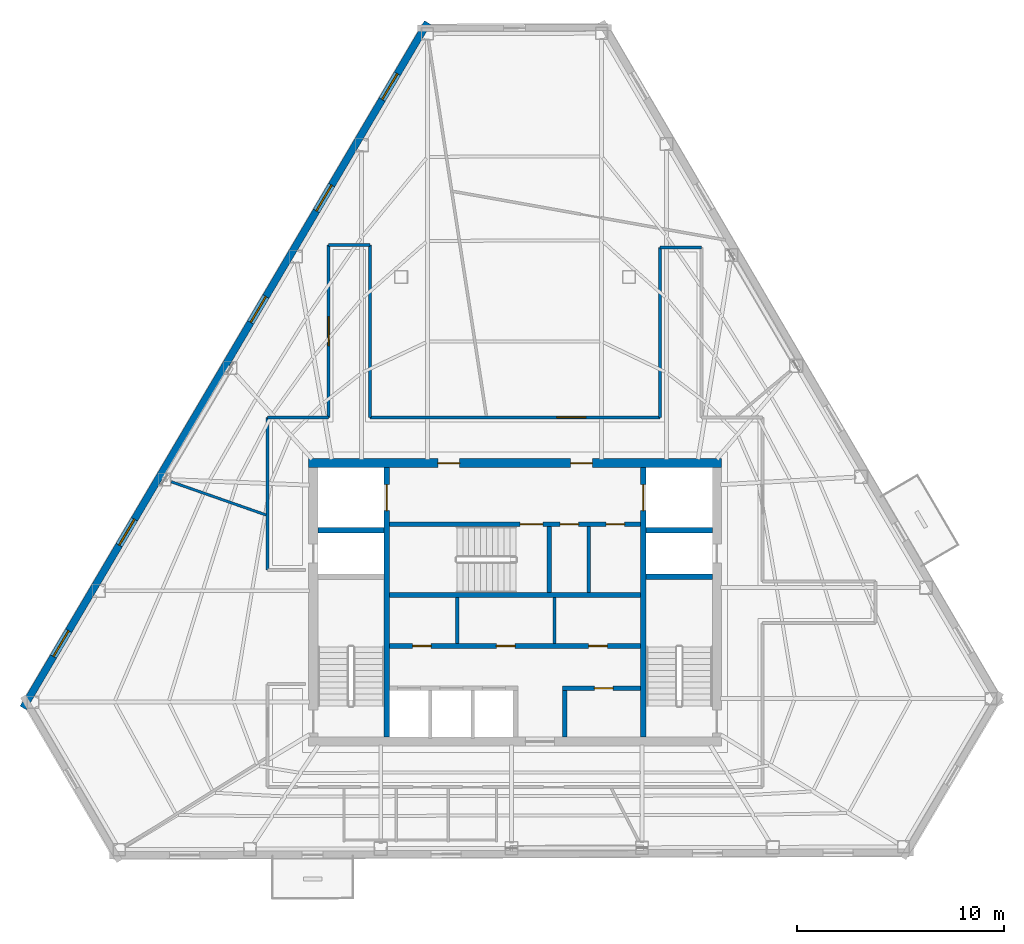
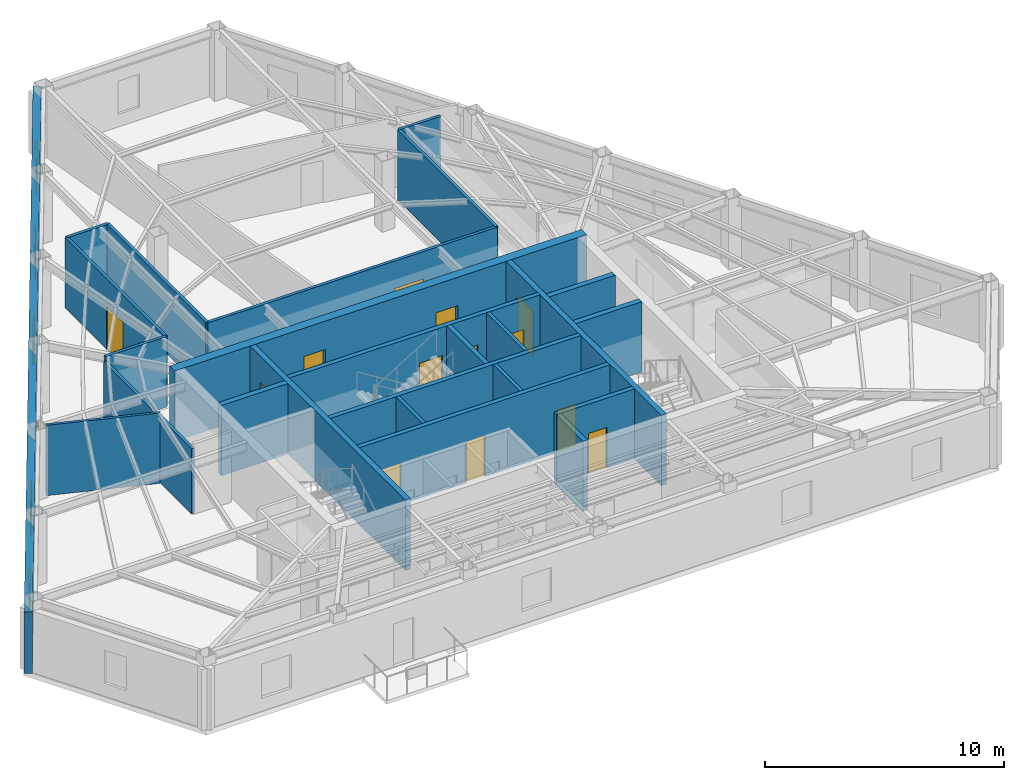
# One storey, part 6 of 9: 25 walls, 13 doors, 5 windows, 18 openings.
"""IFC4 building model written with IfcOpenShell, lengths in metres."""

from ifc_helpers import new_model, si_unit, direction, frame, frame_2d, origin, place, context, subcontext, project, spatial, rectangle, extrude, material, layer, layer_set, type_object, element, fill, save


model = new_model("IFC4")

# Units and contexts
model_context = context("Model", 3, precision=1e-05, world=origin(), true_north=direction((0.0, 1.0)))
body_context = subcontext(model_context, "Body", "Model", "MODEL_VIEW")
ifc_project = project(units=[si_unit("LENGTHUNIT", "METRE"), si_unit("AREAUNIT", "SQUARE_METRE"), si_unit("VOLUMEUNIT", "CUBIC_METRE"), si_unit("PLANEANGLEUNIT", "RADIAN"), si_unit("MASSUNIT", "GRAM", prefix="KILO")], contexts=[model_context])

# Site, building, storey
site_placement = place(None, origin())
site = spatial("IfcSite", under=ifc_project, at=site_placement, CompositionType="ELEMENT")
building_placement = place(site_placement, origin())
building = spatial("IfcBuilding", under=site, at=building_placement, Name="Kavelnor Concourse Tower", CompositionType="ELEMENT")
storey_placement = place(building_placement, frame((0.0, 0.0, 207.35009765625)))
storey = spatial("IfcBuildingStorey", under=building, at=storey_placement, Name="L52", CompositionType="ELEMENT", Elevation=207.35009765625)

# Wall, openings, doors
ifc_material_1 = material(Name="Concrete C50/60", Category="concrete")
ifc_layer_1 = layer(ifc_material_1, 0.43994140625, Name="Concrete C50/60")
ifc_layer_set_1 = layer_set([ifc_layer_1], Name="Concrete C50/60")
wall_type_1 = type_object("IfcWallType", Name="WL-CORE-Z3-440", PredefinedType="SOLIDWALL", material=ifc_layer_set_1)
wall_1_placement = place(storey_placement, frame((28.0400390625, 22.820068359375, 0.0), z_axis=(0.0, 0.0, 1.0), x_axis=(1.0, 0.0, 0.0)))
wall_1 = element("IfcWall", 1, at=wall_1_placement, inside=storey, type_object=wall_type_1, Name="L52 Central Core North Shear Wall", PredefinedType="SOLIDWALL", context=body_context, shape_type="SweptSolid", body=[
    extrude(rectangle(XDim=19.919921875, YDim=0.43994140625, at=frame_2d((9.9599609375, 0.0))), origin(), (0.0, 0.0, 1.0), 3.599853515625),
])
opening_1_placement = place(wall_1_placement, frame((6.235107421875, 0.0, 0.0)))
opening_1 = element("IfcOpeningElement", 2, at=opening_1_placement, cuts=wall_1, Name="Opening FD-105", PredefinedType="OPENING", context=body_context, shape_type="SweptSolid", body=[
    extrude(rectangle(XDim=1.050048828125, YDim=2.14990234375, at=frame_2d((0.52490234375, 1.074951171875))), frame((0.0, 0.22998046875, 0.0), z_axis=(0.0, -1.0, 0.0), x_axis=(1.0, 0.0, 0.0)), (0.0, 0.0, 1.0), 0.4599609375),
])
opening_2_placement = place(wall_1_placement, frame((12.635009765625, 0.0, 0.0)))
opening_2 = element("IfcOpeningElement", 3, at=opening_2_placement, cuts=wall_1, Name="Opening FD-105", PredefinedType="OPENING", context=body_context, shape_type="SweptSolid", body=[
    extrude(rectangle(XDim=1.050048828125, YDim=2.14990234375, at=frame_2d((0.52490234375, 1.074951171875))), frame((0.0, 0.22998046875, 0.0), z_axis=(0.0, -1.0, 0.0), x_axis=(1.0, 0.0, 0.0)), (0.0, 0.0, 1.0), 0.4599609375),
])
ifc_material_2 = material(Name="Steel Grade 350", Category="steel")
door_type_1 = type_object("IfcDoorType", Name="DR-LOBBY-FIRE-1050", OperationType="NOTDEFINED", PredefinedType="DOOR", material=ifc_material_2)
door_1_placement = place(opening_1_placement, origin())
door_1 = element("IfcDoor", 4, at=door_1_placement, inside=storey, type_object=door_type_1, Name="L52 Emergency Lift Lobby West Door", OperationType="SINGLE_SWING_LEFT", OverallHeight=2.14990234375, OverallWidth=1.050048828125, PredefinedType="DOOR", context=body_context, shape_type="SweptSolid", body=[
    extrude(rectangle(XDim=1.050048828125, YDim=2.14990234375, at=frame_2d((0.52490234375, 1.074951171875))), frame((0.0, 0.02490234375, 0.0), z_axis=(0.0, -1.0, 0.0), x_axis=(1.0, 0.0, 0.0)), (0.0, 0.0, 1.0), 0.050048828125),
])
fill(opening_1, door_1)
door_2_placement = place(opening_2_placement, origin())
door_2 = element("IfcDoor", 5, at=door_2_placement, inside=storey, type_object=door_type_1, Name="L52 Emergency Lift Lobby East Door", OperationType="SINGLE_SWING_RIGHT", OverallHeight=2.14990234375, OverallWidth=1.050048828125, PredefinedType="DOOR", context=body_context, shape_type="SweptSolid", body=[
    extrude(rectangle(XDim=1.050048828125, YDim=2.14990234375, at=frame_2d((0.52490234375, 1.074951171875))), frame((0.0, 0.02490234375, 0.0), z_axis=(0.0, -1.0, 0.0), x_axis=(1.0, 0.0, 0.0)), (0.0, 0.0, 1.0), 0.050048828125),
])
fill(opening_2, door_2)

# Wall, openings, windows
ifc_material_3 = material(Name="Red-ochre clay face brick masonry", Category="masonry")
ifc_layer_2 = layer(ifc_material_3, 0.35009765625, Name="Red-ochre clay face brick masonry")
ifc_layer_set_2 = layer_set([ifc_layer_2], Name="Red-ochre clay face brick masonry")
wall_type_2 = type_object("IfcWallType", Name="WL-EXT-RED-BRICK-PIER-350", PredefinedType="STANDARD", material=ifc_layer_set_2)
wall_2_placement = place(storey_placement, frame((14.255859375, 11.000244140625, 0.0), z_axis=(0.0, 0.0, 1.0), x_axis=(0.508231558921, 0.861220461042, 0.0)))
wall_2 = element("IfcWall", 6, at=wall_2_placement, inside=storey, type_object=wall_type_2, Name="L52 Exterior Brick Facade Wall E1", PredefinedType="STANDARD", context=body_context, shape_type="SweptSolid", body=[
    extrude(rectangle(XDim=38.41015625, YDim=0.35009765625, at=frame_2d((19.205078125, 0.0))), origin(), (0.0, 0.0, 1.0), 3.1318359375),
])
opening_3_placement = place(wall_2_placement, frame((34.0908203125, 0.0, 0.64990234375)))
opening_3 = element("IfcOpeningElement", 7, at=opening_3_placement, cuts=wall_2, Name="Opening W-03", PredefinedType="OPENING", context=body_context, shape_type="SweptSolid", body=[
    extrude(rectangle(XDim=1.449951171875, YDim=1.75, at=frame_2d((0.72509765625, 0.875))), frame((0.0, 0.18505859375, 0.0), z_axis=(0.0, -1.0, 0.0), x_axis=(1.0, 0.0, 0.0)), (0.0, 0.0, 1.0), 0.3701171875),
])
opening_4_placement = place(wall_2_placement, frame((27.848388671875, 0.0, 0.64990234375)))
opening_4 = element("IfcOpeningElement", 8, at=opening_4_placement, cuts=wall_2, Name="Opening W-03", PredefinedType="OPENING", context=body_context, shape_type="SweptSolid", body=[
    extrude(rectangle(XDim=1.449951171875, YDim=1.75, at=frame_2d((0.72509765625, 0.875))), frame((0.0, 0.18505859375, 0.0), z_axis=(0.0, -1.0, 0.0), x_axis=(1.0, 0.0, 0.0)), (0.0, 0.0, 1.0), 0.3701171875),
])
opening_5_placement = place(wall_2_placement, frame((21.60595703125, 0.0, 0.64990234375)))
opening_5 = element("IfcOpeningElement", 9, at=opening_5_placement, cuts=wall_2, Name="Opening W-03", PredefinedType="OPENING", context=body_context, shape_type="SweptSolid", body=[
    extrude(rectangle(XDim=1.449951171875, YDim=1.75, at=frame_2d((0.72509765625, 0.875))), frame((0.0, 0.18505859375, 0.0), z_axis=(0.0, -1.0, 0.0), x_axis=(1.0, 0.0, 0.0)), (0.0, 0.0, 1.0), 0.3701171875),
])
opening_6_placement = place(wall_2_placement, frame((9.120849609375, 0.0, 0.64990234375)))
opening_6 = element("IfcOpeningElement", 10, at=opening_6_placement, cuts=wall_2, Name="Opening W-03", PredefinedType="OPENING", context=body_context, shape_type="SweptSolid", body=[
    extrude(rectangle(XDim=1.449951171875, YDim=1.75, at=frame_2d((0.72509765625, 0.875))), frame((0.0, 0.18505859375, 0.0), z_axis=(0.0, -1.0, 0.0), x_axis=(1.0, 0.0, 0.0)), (0.0, 0.0, 1.0), 0.3701171875),
])
opening_7_placement = place(wall_2_placement, frame((2.87841796875, 0.0, 0.64990234375)))
opening_7 = element("IfcOpeningElement", 11, at=opening_7_placement, cuts=wall_2, Name="Opening W-03", PredefinedType="OPENING", context=body_context, shape_type="SweptSolid", body=[
    extrude(rectangle(XDim=1.449951171875, YDim=1.75, at=frame_2d((0.72509765625, 0.875))), frame((0.0, 0.18505859375, 0.0), z_axis=(0.0, -1.0, 0.0), x_axis=(1.0, 0.0, 0.0)), (0.0, 0.0, 1.0), 0.3701171875),
])
ifc_material_4 = material(Name="Double low-E argon insulated glazing", Category="glass")
window_type = type_object("IfcWindowType", Name="WIN-PIER-Z3-1500", PartitioningType="SINGLE_PANEL", PredefinedType="WINDOW", material=ifc_material_4)
window_1_placement = place(opening_3_placement, origin())
window_1 = element("IfcWindow", 12, at=window_1_placement, inside=storey, type_object=window_type, Name="L52 Deep-Set Brick Pier Window F0-B0", OverallHeight=1.75, OverallWidth=1.449951171875, PartitioningType="SINGLE_PANEL", PredefinedType="WINDOW", context=body_context, shape_type="SweptSolid", body=[
    extrude(rectangle(XDim=1.449951171875, YDim=1.75, at=frame_2d((0.72509765625, 0.875))), frame((0.0, 0.030029296875, 0.0), z_axis=(0.0, -1.0, 0.0), x_axis=(1.0, 0.0, 0.0)), (0.0, 0.0, 1.0), 0.06005859375),
])
fill(opening_3, window_1)
window_2_placement = place(opening_4_placement, origin())
window_2 = element("IfcWindow", 13, at=window_2_placement, inside=storey, type_object=window_type, Name="L52 Deep-Set Brick Pier Window F0-B1", OverallHeight=1.75, OverallWidth=1.449951171875, PartitioningType="SINGLE_PANEL", PredefinedType="WINDOW", context=body_context, shape_type="SweptSolid", body=[
    extrude(rectangle(XDim=1.449951171875, YDim=1.75, at=frame_2d((0.72509765625, 0.875))), frame((0.0, 0.030029296875, 0.0), z_axis=(0.0, -1.0, 0.0), x_axis=(1.0, 0.0, 0.0)), (0.0, 0.0, 1.0), 0.06005859375),
])
fill(opening_4, window_2)
window_3_placement = place(opening_5_placement, origin())
window_3 = element("IfcWindow", 14, at=window_3_placement, inside=storey, type_object=window_type, Name="L52 Deep-Set Brick Pier Window F0-B2", OverallHeight=1.75, OverallWidth=1.449951171875, PartitioningType="SINGLE_PANEL", PredefinedType="WINDOW", context=body_context, shape_type="SweptSolid", body=[
    extrude(rectangle(XDim=1.449951171875, YDim=1.75, at=frame_2d((0.72509765625, 0.875))), frame((0.0, 0.030029296875, 0.0), z_axis=(0.0, -1.0, 0.0), x_axis=(1.0, 0.0, 0.0)), (0.0, 0.0, 1.0), 0.06005859375),
])
fill(opening_5, window_3)
window_4_placement = place(opening_6_placement, origin())
window_4 = element("IfcWindow", 15, at=window_4_placement, inside=storey, type_object=window_type, Name="L52 Deep-Set Brick Pier Window F0-B4", OverallHeight=1.75, OverallWidth=1.449951171875, PartitioningType="SINGLE_PANEL", PredefinedType="WINDOW", context=body_context, shape_type="SweptSolid", body=[
    extrude(rectangle(XDim=1.449951171875, YDim=1.75, at=frame_2d((0.72509765625, 0.875))), frame((0.0, 0.030029296875, 0.0), z_axis=(0.0, -1.0, 0.0), x_axis=(1.0, 0.0, 0.0)), (0.0, 0.0, 1.0), 0.06005859375),
])
fill(opening_6, window_4)
window_5_placement = place(opening_7_placement, origin())
window_5 = element("IfcWindow", 16, at=window_5_placement, inside=storey, type_object=window_type, Name="L52 Deep-Set Brick Pier Window F0-B5", OverallHeight=1.75, OverallWidth=1.449951171875, PartitioningType="SINGLE_PANEL", PredefinedType="WINDOW", context=body_context, shape_type="SweptSolid", body=[
    extrude(rectangle(XDim=1.449951171875, YDim=1.75, at=frame_2d((0.72509765625, 0.875))), frame((0.0, 0.030029296875, 0.0), z_axis=(0.0, -1.0, 0.0), x_axis=(1.0, 0.0, 0.0)), (0.0, 0.0, 1.0), 0.06005859375),
])
fill(opening_7, window_5)

# Walls
ifc_material_5 = material(Name="Gypsum plasterboard on light-gauge steel studs", Category="steel")
ifc_layer_3 = layer(ifc_material_5, 0.14501953125, Name="Gypsum plasterboard on light-gauge steel studs")
ifc_layer_set_3 = layer_set([ifc_layer_3], Name="Gypsum plasterboard on light-gauge steel studs")
wall_type_3 = type_object("IfcWallType", Name="WL-INT-CORR-145", PredefinedType="PARTITIONING", material=ifc_layer_set_3)
wall_3_placement = place(storey_placement, frame((26.06005859375, 17.64990234375, 0.0), z_axis=(0.0, 0.0, 1.0), x_axis=(0.0, 1.0, 0.0)))
element("IfcWall", 17, at=wall_3_placement, inside=storey, type_object=wall_type_3, Name="L52 Corridor Wall WL-L52-CR-02", PredefinedType="PARTITIONING", context=body_context, shape_type="SweptSolid", body=[
    extrude(rectangle(XDim=7.3701171875, YDim=0.14501953125, at=frame_2d((3.68505859375, 0.0))), origin(), (0.0, 0.0, 1.0), 3.3388671875),
])
wall_4_placement = place(storey_placement, frame((26.06005859375, 25.02001953125, 0.0), z_axis=(0.0, 0.0, 1.0), x_axis=(1.0, 0.0, 0.0)))
element("IfcWall", 18, at=wall_4_placement, inside=storey, type_object=wall_type_3, Name="L52 Corridor Wall WL-L52-CR-03", PredefinedType="PARTITIONING", context=body_context, shape_type="SweptSolid", body=[
    extrude(rectangle(XDim=2.93994140625, YDim=0.14501953125, at=frame_2d((1.469970703125, 0.0))), origin(), (0.0, 0.0, 1.0), 3.599853515625),
])

# Wall, opening, door
wall_5_placement = place(storey_placement, frame((29.0, 25.02001953125, 0.0), z_axis=(0.0, 0.0, 1.0), x_axis=(0.0, 1.0, 0.0)))
wall_5 = element("IfcWall", 19, at=wall_5_placement, inside=storey, type_object=wall_type_3, Name="L52 Corridor Wall WL-L52-CR-04", PredefinedType="PARTITIONING", context=body_context, shape_type="SweptSolid", body=[
    extrude(rectangle(XDim=8.3330078125, YDim=0.14501953125, at=frame_2d((4.16650390625, 0.0))), origin(), (0.0, 0.0, 1.0), 3.599853515625),
])
opening_8_placement = place(wall_5_placement, frame((3.466552734375, 0.0, 0.0)))
opening_8 = element("IfcOpeningElement", 20, at=opening_8_placement, cuts=wall_5, Name="Opening SD-140", PredefinedType="OPENING", context=body_context, shape_type="SweptSolid", body=[
    extrude(rectangle(XDim=1.39990234375, YDim=2.199951171875, at=frame_2d((0.699951171875, 1.10009765625))), frame((0.0, 0.08251953125, 0.0), z_axis=(0.0, -1.0, 0.0), x_axis=(1.0, 0.0, 0.0)), (0.0, 0.0, 1.0), 0.1650390625),
])
ifc_material_6 = material(Name="Solid-core hardwood timber", Category="wood")
door_type_2 = type_object("IfcDoorType", Name="DR-SUITE-ENTRY-1400", OperationType="NOTDEFINED", PredefinedType="DOOR", material=ifc_material_6)
door_3_placement = place(opening_8_placement, origin())
door_3 = element("IfcDoor", 21, at=door_3_placement, inside=storey, type_object=door_type_2, Name="L52 Tenant Bookstore Retail Shop 03 Door", OperationType="SINGLE_SWING_RIGHT", OverallHeight=2.199951171875, OverallWidth=1.39990234375, PredefinedType="DOOR", context=body_context, shape_type="SweptSolid", body=[
    extrude(rectangle(XDim=1.39990234375, YDim=2.199951171875, at=frame_2d((0.699951171875, 1.10009765625))), frame((0.0, 0.02490234375, 0.0), z_axis=(0.0, -1.0, 0.0), x_axis=(1.0, 0.0, 0.0)), (0.0, 0.0, 1.0), 0.050048828125),
])
fill(opening_8, door_3)

# Walls
wall_6_placement = place(storey_placement, frame((29.0, 33.35302734375, 0.0), z_axis=(0.0, 0.0, 1.0), x_axis=(1.0, 0.0, 0.0)))
element("IfcWall", 22, at=wall_6_placement, inside=storey, type_object=wall_type_3, Name="L52 Corridor Wall WL-L52-CR-05", PredefinedType="PARTITIONING", context=body_context, shape_type="SweptSolid", body=[
    extrude(rectangle(XDim=2.0, YDim=0.14501953125, at=frame_2d((1.0, 0.0))), origin(), (0.0, 0.0, 1.0), 3.599853515625),
])
wall_7_placement = place(storey_placement, frame((31.0, 33.35302734375, 0.0), z_axis=(0.0, 0.0, 1.0), x_axis=(0.0, -1.0, 0.0)))
element("IfcWall", 23, at=wall_7_placement, inside=storey, type_object=wall_type_3, Name="L52 Corridor Wall WL-L52-CR-06", PredefinedType="PARTITIONING", context=body_context, shape_type="SweptSolid", body=[
    extrude(rectangle(XDim=8.3330078125, YDim=0.14501953125, at=frame_2d((4.16650390625, 0.0))), origin(), (0.0, 0.0, 1.0), 3.599853515625),
])

# Wall, opening, door
wall_8_placement = place(storey_placement, frame((31.0, 25.02001953125, 0.0), z_axis=(0.0, 0.0, 1.0), x_axis=(1.0, 0.0, 0.0)))
wall_8 = element("IfcWall", 24, at=wall_8_placement, inside=storey, type_object=wall_type_3, Name="L52 Corridor Wall WL-L52-CR-07", PredefinedType="PARTITIONING", context=body_context, shape_type="SweptSolid", body=[
    extrude(rectangle(XDim=14.0, YDim=0.14501953125, at=frame_2d((7.0, 0.0))), origin(), (0.0, 0.0, 1.0), 3.599853515625),
])
opening_9_placement = place(wall_8_placement, frame((9.020751953125, 0.0, 0.0)))
opening_9 = element("IfcOpeningElement", 25, at=opening_9_placement, cuts=wall_8, Name="Opening SD-140", PredefinedType="OPENING", context=body_context, shape_type="SweptSolid", body=[
    extrude(rectangle(XDim=1.39990234375, YDim=2.199951171875, at=frame_2d((0.699951171875, 1.10009765625))), frame((0.0, 0.08251953125, 0.0), z_axis=(0.0, -1.0, 0.0), x_axis=(1.0, 0.0, 0.0)), (0.0, 0.0, 1.0), 0.1650390625),
])
door_4_placement = place(opening_9_placement, origin())
door_4 = element("IfcDoor", 26, at=door_4_placement, inside=storey, type_object=door_type_2, Name="L52 Workplace Open Office 01 Door", OperationType="SINGLE_SWING_RIGHT", OverallHeight=2.199951171875, OverallWidth=1.39990234375, PredefinedType="DOOR", context=body_context, shape_type="SweptSolid", body=[
    extrude(rectangle(XDim=1.39990234375, YDim=2.199951171875, at=frame_2d((0.699951171875, 1.10009765625))), frame((0.0, 0.02490234375, 0.0), z_axis=(0.0, -1.0, 0.0), x_axis=(1.0, 0.0, 0.0)), (0.0, 0.0, 1.0), 0.050048828125),
])
fill(opening_9, door_4)

# Walls
wall_9_placement = place(storey_placement, frame((45.0, 25.02001953125, 0.0), z_axis=(0.0, 0.0, 1.0), x_axis=(0.0, 1.0, 0.0)))
element("IfcWall", 27, at=wall_9_placement, inside=storey, type_object=wall_type_3, Name="L52 Corridor Wall WL-L52-CR-08", PredefinedType="PARTITIONING", context=body_context, shape_type="SweptSolid", body=[
    extrude(rectangle(XDim=8.194091796875, YDim=0.14501953125, at=frame_2d((4.09716796875, 0.0))), origin(), (0.0, 0.0, 1.0), 3.599853515625),
])
wall_10_placement = place(storey_placement, frame((45.0, 33.214111328125, 0.0), z_axis=(0.0, 0.0, 1.0), x_axis=(1.0, 0.0, 0.0)))
element("IfcWall", 28, at=wall_10_placement, inside=storey, type_object=wall_type_3, Name="L52 Corridor Wall WL-L52-CR-09", PredefinedType="PARTITIONING", context=body_context, shape_type="SweptSolid", body=[
    extrude(rectangle(XDim=2.0, YDim=0.14501953125, at=frame_2d((1.0, 0.0))), origin(), (0.0, 0.0, 1.0), 3.599853515625),
])
ifc_layer_4 = layer(ifc_material_5, 0.1650390625, Name="Gypsum plasterboard on light-gauge steel studs")
ifc_layer_set_4 = layer_set([ifc_layer_4], Name="Gypsum plasterboard on light-gauge steel studs")
wall_type_4 = type_object("IfcWallType", Name="WL-INT-FIRE-165", PredefinedType="PARTITIONING", material=ifc_layer_set_4)
for number, where, z_axis, x_axis, name in (
    (29, (35.199951171875, 14.10009765625, 0.0), (0.0, 0.0, 1.0), (0.0, 1.0, 0.0), "L52 Reclaimed Core Partition A"),
    (30, (39.89990234375, 14.10009765625, 0.0), (0.0, 0.0, 1.0), (0.0, 1.0, 0.0), "L52 Reclaimed Core Partition B"),
):
    element("IfcWall", number, at=place(storey_placement, frame(where, z_axis=z_axis, x_axis=x_axis)), inside=storey, type_object=wall_type_4, Name=name, PredefinedType="PARTITIONING", context=body_context, shape_type="SweptSolid", body=[
        extrude(rectangle(XDim=2.239990234375, YDim=0.1650390625, at=frame_2d((1.1201171875, 0.0))), origin(), (0.0, 0.0, 1.0), 3.599853515625),
    ])
wall_11_placement = place(storey_placement, frame((41.550048828125, 16.56005859375, 0.0), z_axis=(0.0, 0.0, 1.0), x_axis=(0.0, 1.0, 0.0)))
element("IfcWall", 31, at=wall_11_placement, inside=storey, type_object=wall_type_4, Name="L52 Core North Support Divider", PredefinedType="PARTITIONING", context=body_context, shape_type="SweptSolid", body=[
    extrude(rectangle(XDim=3.199951171875, YDim=0.1650390625, at=frame_2d((1.60009765625, 0.0))), origin(), (0.0, 0.0, 1.0), 3.599853515625),
])
ifc_layer_5 = layer(ifc_material_5, 0.125, Name="Gypsum plasterboard on light-gauge steel studs")
ifc_layer_set_5 = layer_set([ifc_layer_5], Name="Gypsum plasterboard on light-gauge steel studs")
wall_type_5 = type_object("IfcWallType", Name="WL-INT-SUITE-125", PredefinedType="PARTITIONING", material=ifc_layer_set_5)
wall_12_placement = place(storey_placement, frame((25.9794921875, 20.31298828125, 0.0), z_axis=(0.0, 0.0, 1.0), x_axis=(-0.943724740231, 0.330731937794, 0.0)))
element("IfcWall", 32, at=wall_12_placement, inside=storey, type_object=wall_type_5, Name="L52 Radial Suite Partition 03", PredefinedType="PARTITIONING", context=body_context, shape_type="SweptSolid", body=[
    extrude(rectangle(XDim=4.845458984375, YDim=0.125, at=frame_2d((2.4228515625, 0.0))), origin(), (0.0, 0.0, 1.0), 3.599853515625),
])

# Wall, openings, doors
ifc_layer_6 = layer(ifc_material_1, 0.219970703125, Name="Concrete C50/60")
ifc_layer_set_6 = layer_set([ifc_layer_6], Name="Concrete C50/60")
wall_type_6 = type_object("IfcWallType", Name="WL-SHAFT-220", PredefinedType="SOLIDWALL", material=ifc_layer_set_6)
wall_13_placement = place(storey_placement, frame((31.93994140625, 19.8701171875, 0.0), z_axis=(0.0, 0.0, 1.0), x_axis=(1.0, 0.0, 0.0)))
wall_13 = element("IfcWall", 33, at=wall_13_placement, inside=storey, type_object=wall_type_6, Name="L52 Emergency Lift Lobby South Wall", PredefinedType="SOLIDWALL", context=body_context, shape_type="SweptSolid", body=[
    extrude(rectangle(XDim=12.1201171875, YDim=0.219970703125, at=frame_2d((6.06005859375, 0.0))), origin(), (0.0, 0.0, 1.0), 3.599853515625),
])
opening_10_placement = place(wall_13_placement, frame((6.300048828125, 0.0, 0.0)))
opening_10 = element("IfcOpeningElement", 34, at=opening_10_placement, cuts=wall_13, Name="Opening FD-110", PredefinedType="OPENING", context=body_context, shape_type="SweptSolid", body=[
    extrude(rectangle(XDim=1.10009765625, YDim=2.14990234375, at=frame_2d((0.550048828125, 1.074951171875))), frame((0.0, 0.1201171875, 0.0), z_axis=(0.0, -1.0, 0.0), x_axis=(1.0, 0.0, 0.0)), (0.0, 0.0, 1.0), 0.239990234375),
])
opening_11_placement = place(wall_13_placement, frame((8.22998046875, 0.0, 0.0)))
opening_11 = element("IfcOpeningElement", 35, at=opening_11_placement, cuts=wall_13, Name="Opening FD-090", PredefinedType="OPENING", context=body_context, shape_type="SweptSolid", body=[
    extrude(rectangle(XDim=0.89990234375, YDim=2.10009765625, at=frame_2d((0.449951171875, 1.050048828125))), frame((0.0, 0.1201171875, 0.0), z_axis=(0.0, -1.0, 0.0), x_axis=(1.0, 0.0, 0.0)), (0.0, 0.0, 1.0), 0.239990234375),
])
opening_12_placement = place(wall_13_placement, frame((10.449951171875, 0.0, 0.0)))
opening_12 = element("IfcOpeningElement", 36, at=opening_12_placement, cuts=wall_13, Name="Opening FD-090", PredefinedType="OPENING", context=body_context, shape_type="SweptSolid", body=[
    extrude(rectangle(XDim=0.89990234375, YDim=2.10009765625, at=frame_2d((0.449951171875, 1.050048828125))), frame((0.0, 0.1201171875, 0.0), z_axis=(0.0, -1.0, 0.0), x_axis=(1.0, 0.0, 0.0)), (0.0, 0.0, 1.0), 0.239990234375),
])
door_type_3 = type_object("IfcDoorType", Name="DR-RISER-FIRE-900", OperationType="NOTDEFINED", PredefinedType="DOOR", material=ifc_material_2)
door_5_placement = place(opening_11_placement, origin())
door_5 = element("IfcDoor", 37, at=door_5_placement, inside=storey, type_object=door_type_3, Name="L52 Telecom Room Door", OperationType="SINGLE_SWING_LEFT", OverallHeight=2.10009765625, OverallWidth=0.89990234375, PredefinedType="DOOR", context=body_context, shape_type="SweptSolid", body=[
    extrude(rectangle(XDim=0.89990234375, YDim=2.10009765625, at=frame_2d((0.449951171875, 1.050048828125))), frame((0.0, 0.02490234375, 0.0), z_axis=(0.0, -1.0, 0.0), x_axis=(1.0, 0.0, 0.0)), (0.0, 0.0, 1.0), 0.050048828125),
])
fill(opening_11, door_5)
door_6_placement = place(opening_12_placement, origin())
door_6 = element("IfcDoor", 38, at=door_6_placement, inside=storey, type_object=door_type_3, Name="L52 Janitor Store Door", OperationType="SINGLE_SWING_RIGHT", OverallHeight=2.10009765625, OverallWidth=0.89990234375, PredefinedType="DOOR", context=body_context, shape_type="SweptSolid", body=[
    extrude(rectangle(XDim=0.89990234375, YDim=2.10009765625, at=frame_2d((0.449951171875, 1.050048828125))), frame((0.0, 0.02490234375, 0.0), z_axis=(0.0, -1.0, 0.0), x_axis=(1.0, 0.0, 0.0)), (0.0, 0.0, 1.0), 0.050048828125),
])
fill(opening_12, door_6)
door_type_4 = type_object("IfcDoorType", Name="DR-STAIR-FIRE-1100", OperationType="NOTDEFINED", PredefinedType="DOOR", material=ifc_material_2)
door_7_placement = place(opening_10_placement, origin())
door_7 = element("IfcDoor", 39, at=door_7_placement, inside=storey, type_object=door_type_4, Name="L52 Stair ST3 Fire Door", OperationType="SINGLE_SWING_LEFT", OverallHeight=2.14990234375, OverallWidth=1.10009765625, PredefinedType="DOOR", context=body_context, shape_type="SweptSolid", body=[
    extrude(rectangle(XDim=1.10009765625, YDim=2.14990234375, at=frame_2d((0.550048828125, 1.074951171875))), frame((0.0, 0.02490234375, 0.0), z_axis=(0.0, -1.0, 0.0), x_axis=(1.0, 0.0, 0.0)), (0.0, 0.0, 1.0), 0.050048828125),
])
fill(opening_10, door_7)

# Walls
wall_14_placement = place(storey_placement, frame((31.93994140625, 16.449951171875, 0.0), z_axis=(0.0, 0.0, 1.0), x_axis=(1.0, 0.0, 0.0)))
element("IfcWall", 40, at=wall_14_placement, inside=storey, type_object=wall_type_6, Name="L52 Stair ST3 South Core Wall", PredefinedType="SOLIDWALL", context=body_context, shape_type="SweptSolid", body=[
    extrude(rectangle(XDim=12.1201171875, YDim=0.219970703125, at=frame_2d((6.06005859375, 0.0))), origin(), (0.0, 0.0, 1.0), 3.599853515625),
])
wall_15_placement = place(storey_placement, frame((39.64990234375, 16.56005859375, 0.0), z_axis=(0.0, 0.0, 1.0), x_axis=(0.0, 1.0, 0.0)))
element("IfcWall", 41, at=wall_15_placement, inside=storey, type_object=wall_type_6, Name="L52 Stair ST3 East Core Wall", PredefinedType="SOLIDWALL", context=body_context, shape_type="SweptSolid", body=[
    extrude(rectangle(XDim=3.199951171875, YDim=0.219970703125, at=frame_2d((1.60009765625, 0.0))), origin(), (0.0, 0.0, 1.0), 3.599853515625),
])

# Wall, openings, doors
wall_16_placement = place(storey_placement, frame((31.93994140625, 13.989990234375, 0.0), z_axis=(0.0, 0.0, 1.0), x_axis=(1.0, 0.0, 0.0)))
wall_16 = element("IfcWall", 42, at=wall_16_placement, inside=storey, type_object=wall_type_6, Name="L52 North Lift Row Shaft Wall", PredefinedType="SOLIDWALL", context=body_context, shape_type="SweptSolid", body=[
    extrude(rectangle(XDim=12.1201171875, YDim=0.219970703125, at=frame_2d((6.06005859375, 0.0))), origin(), (0.0, 0.0, 1.0), 3.599853515625),
])
opening_13_placement = place(wall_16_placement, frame((1.110107421875, 0.0, 0.0)))
opening_13 = element("IfcOpeningElement", 43, at=opening_13_placement, cuts=wall_16, Name="Opening FD-090", PredefinedType="OPENING", context=body_context, shape_type="SweptSolid", body=[
    extrude(rectangle(XDim=0.89990234375, YDim=2.10009765625, at=frame_2d((0.449951171875, 1.050048828125))), frame((0.0, 0.1201171875, 0.0), z_axis=(0.0, -1.0, 0.0), x_axis=(1.0, 0.0, 0.0)), (0.0, 0.0, 1.0), 0.239990234375),
])
opening_14_placement = place(wall_16_placement, frame((5.159912109375, 0.0, 0.0)))
opening_14 = element("IfcOpeningElement", 44, at=opening_14_placement, cuts=wall_16, Name="Opening FD-090", PredefinedType="OPENING", context=body_context, shape_type="SweptSolid", body=[
    extrude(rectangle(XDim=0.89990234375, YDim=2.10009765625, at=frame_2d((0.449951171875, 1.050048828125))), frame((0.0, 0.1201171875, 0.0), z_axis=(0.0, -1.0, 0.0), x_axis=(1.0, 0.0, 0.0)), (0.0, 0.0, 1.0), 0.239990234375),
])
opening_15_placement = place(wall_16_placement, frame((9.610107421875, 0.0, 0.0)))
opening_15 = element("IfcOpeningElement", 45, at=opening_15_placement, cuts=wall_16, Name="Opening FD-090", PredefinedType="OPENING", context=body_context, shape_type="SweptSolid", body=[
    extrude(rectangle(XDim=0.89990234375, YDim=2.10009765625, at=frame_2d((0.449951171875, 1.050048828125))), frame((0.0, 0.1201171875, 0.0), z_axis=(0.0, -1.0, 0.0), x_axis=(1.0, 0.0, 0.0)), (0.0, 0.0, 1.0), 0.239990234375),
])
door_8_placement = place(opening_13_placement, origin())
door_8 = element("IfcDoor", 46, at=door_8_placement, inside=storey, type_object=door_type_3, Name="L52 Reclaimed Core Door A", OperationType="SINGLE_SWING_RIGHT", OverallHeight=2.10009765625, OverallWidth=0.89990234375, PredefinedType="DOOR", context=body_context, shape_type="SweptSolid", body=[
    extrude(rectangle(XDim=0.89990234375, YDim=2.10009765625, at=frame_2d((0.449951171875, 1.050048828125))), frame((0.0, 0.02490234375, 0.0), z_axis=(0.0, -1.0, 0.0), x_axis=(1.0, 0.0, 0.0)), (0.0, 0.0, 1.0), 0.050048828125),
])
fill(opening_13, door_8)
door_9_placement = place(opening_14_placement, origin())
door_9 = element("IfcDoor", 47, at=door_9_placement, inside=storey, type_object=door_type_3, Name="L52 Reclaimed Core Door B", OperationType="SINGLE_SWING_LEFT", OverallHeight=2.10009765625, OverallWidth=0.89990234375, PredefinedType="DOOR", context=body_context, shape_type="SweptSolid", body=[
    extrude(rectangle(XDim=0.89990234375, YDim=2.10009765625, at=frame_2d((0.449951171875, 1.050048828125))), frame((0.0, 0.02490234375, 0.0), z_axis=(0.0, -1.0, 0.0), x_axis=(1.0, 0.0, 0.0)), (0.0, 0.0, 1.0), 0.050048828125),
])
fill(opening_14, door_9)
door_10_placement = place(opening_15_placement, origin())
door_10 = element("IfcDoor", 48, at=door_10_placement, inside=storey, type_object=door_type_3, Name="L52 Reclaimed Core Door C", OperationType="SINGLE_SWING_RIGHT", OverallHeight=2.10009765625, OverallWidth=0.89990234375, PredefinedType="DOOR", context=body_context, shape_type="SweptSolid", body=[
    extrude(rectangle(XDim=0.89990234375, YDim=2.10009765625, at=frame_2d((0.449951171875, 1.050048828125))), frame((0.0, 0.02490234375, 0.0), z_axis=(0.0, -1.0, 0.0), x_axis=(1.0, 0.0, 0.0)), (0.0, 0.0, 1.0), 0.050048828125),
])
fill(opening_15, door_10)

# Wall, opening, door
wall_17_placement = place(storey_placement, frame((40.280029296875, 11.949951171875, 0.0), z_axis=(0.0, 0.0, 1.0), x_axis=(1.0, 0.0, 0.0)))
wall_17 = element("IfcWall", 49, at=wall_17_placement, inside=storey, type_object=wall_type_6, Name="L52 Core South Support North Wall", PredefinedType="SOLIDWALL", context=body_context, shape_type="SweptSolid", body=[
    extrude(rectangle(XDim=3.780029296875, YDim=0.219970703125, at=frame_2d((1.89013671875, 0.0))), origin(), (0.0, 0.0, 1.0), 3.599853515625),
])
opening_16_placement = place(wall_17_placement, frame((1.550048828125, 0.0, 0.0)))
opening_16 = element("IfcOpeningElement", 50, at=opening_16_placement, cuts=wall_17, Name="Opening FD-090", PredefinedType="OPENING", context=body_context, shape_type="SweptSolid", body=[
    extrude(rectangle(XDim=0.89990234375, YDim=2.10009765625, at=frame_2d((0.449951171875, 1.050048828125))), frame((0.0, 0.1201171875, 0.0), z_axis=(0.0, -1.0, 0.0), x_axis=(1.0, 0.0, 0.0)), (0.0, 0.0, 1.0), 0.239990234375),
])
door_11_placement = place(opening_16_placement, origin())
door_11 = element("IfcDoor", 51, at=door_11_placement, inside=storey, type_object=door_type_3, Name="L52 BMS Metering Door", OperationType="SINGLE_SWING_RIGHT", OverallHeight=2.10009765625, OverallWidth=0.89990234375, PredefinedType="DOOR", context=body_context, shape_type="SweptSolid", body=[
    extrude(rectangle(XDim=0.89990234375, YDim=2.10009765625, at=frame_2d((0.449951171875, 1.050048828125))), frame((0.0, 0.02490234375, 0.0), z_axis=(0.0, -1.0, 0.0), x_axis=(1.0, 0.0, 0.0)), (0.0, 0.0, 1.0), 0.050048828125),
])
fill(opening_16, door_11)

# Wall
wall_18_placement = place(storey_placement, frame((40.389892578125, 9.60009765625, 0.0), z_axis=(0.0, 0.0, 1.0), x_axis=(0.0, 1.0, 0.0)))
element("IfcWall", 52, at=wall_18_placement, inside=storey, type_object=wall_type_6, Name="L52 Lift Lobby Throat East Wall", PredefinedType="SOLIDWALL", context=body_context, shape_type="SweptSolid", body=[
    extrude(rectangle(XDim=2.239990234375, YDim=0.219970703125, at=frame_2d((1.1201171875, 0.0))), origin(), (0.0, 0.0, 1.0), 3.599853515625),
])

# Wall, opening, door
ifc_layer_7 = layer(ifc_material_1, 0.260009765625, Name="Concrete C50/60")
ifc_layer_set_7 = layer_set([ifc_layer_7], Name="Concrete C50/60")
wall_type_7 = type_object("IfcWallType", Name="WL-SHAFT-260", PredefinedType="SHEAR", material=ifc_layer_set_7)
wall_19_placement = place(storey_placement, frame((31.81005859375, 9.60009765625, 0.0), z_axis=(0.0, 0.0, 1.0), x_axis=(0.0, 1.0, 0.0)))
wall_19 = element("IfcWall", 53, at=wall_19_placement, inside=storey, type_object=wall_type_7, Name="L52 Core West Wing Shear Wall", PredefinedType="SHEAR", context=body_context, shape_type="SweptSolid", body=[
    extrude(rectangle(XDim=13.0, YDim=0.260009765625, at=frame_2d((6.5, 0.0))), origin(), (0.0, 0.0, 1.0), 3.599853515625),
])
opening_17_placement = place(wall_19_placement, frame((10.925048828125, 0.0, 0.0)))
opening_17 = element("IfcOpeningElement", 54, at=opening_17_placement, cuts=wall_19, Name="Opening LD-125", PredefinedType="OPENING", context=body_context, shape_type="SweptSolid", body=[
    extrude(rectangle(XDim=1.25, YDim=2.25, at=frame_2d((0.625, 1.125))), frame((0.0, 0.14013671875, 0.0), z_axis=(0.0, -1.0, 0.0), x_axis=(1.0, 0.0, 0.0)), (0.0, 0.0, 1.0), 0.280029296875),
])
door_type_5 = type_object("IfcDoorType", Name="DR-LIFT-SLIDING-1250", OperationType="NOTDEFINED", PredefinedType="DOOR", material=ifc_material_2)
door_12_placement = place(opening_17_placement, origin())
door_12 = element("IfcDoor", 55, at=door_12_placement, inside=storey, type_object=door_type_5, Name="L52 Emergency Lift FL1 Landing Door", OperationType="DOUBLE_DOOR_SLIDING", OverallHeight=2.25, OverallWidth=1.25, PredefinedType="DOOR", context=body_context, shape_type="SweptSolid", body=[
    extrude(rectangle(XDim=1.25, YDim=2.25, at=frame_2d((0.625, 1.125))), frame((0.0, 0.02490234375, 0.0), z_axis=(0.0, -1.0, 0.0), x_axis=(1.0, 0.0, 0.0)), (0.0, 0.0, 1.0), 0.050048828125),
])
fill(opening_17, door_12)

wall_20_placement = place(storey_placement, frame((44.18994140625, 9.60009765625, 0.0), z_axis=(0.0, 0.0, 1.0), x_axis=(0.0, 1.0, 0.0)))
wall_20 = element("IfcWall", 56, at=wall_20_placement, inside=storey, type_object=wall_type_7, Name="L52 Core East Wing Shear Wall", PredefinedType="SHEAR", context=body_context, shape_type="SweptSolid", body=[
    extrude(rectangle(XDim=13.0, YDim=0.260009765625, at=frame_2d((6.5, 0.0))), origin(), (0.0, 0.0, 1.0), 3.599853515625),
])
opening_18_placement = place(wall_20_placement, frame((10.925048828125, 0.0, 0.0)))
opening_18 = element("IfcOpeningElement", 57, at=opening_18_placement, cuts=wall_20, Name="Opening LD-125", PredefinedType="OPENING", context=body_context, shape_type="SweptSolid", body=[
    extrude(rectangle(XDim=1.25, YDim=2.25, at=frame_2d((0.625, 1.125))), frame((0.0, 0.14013671875, 0.0), z_axis=(0.0, -1.0, 0.0), x_axis=(1.0, 0.0, 0.0)), (0.0, 0.0, 1.0), 0.280029296875),
])
door_13_placement = place(opening_18_placement, origin())
door_13 = element("IfcDoor", 58, at=door_13_placement, inside=storey, type_object=door_type_5, Name="L52 Emergency Lift FL2 Landing Door", OperationType="DOUBLE_DOOR_SLIDING", OverallHeight=2.25, OverallWidth=1.25, PredefinedType="DOOR", context=body_context, shape_type="SweptSolid", body=[
    extrude(rectangle(XDim=1.25, YDim=2.25, at=frame_2d((0.625, 1.125))), frame((0.0, 0.02490234375, 0.0), z_axis=(0.0, -1.0, 0.0), x_axis=(1.0, 0.0, 0.0)), (0.0, 0.0, 1.0), 0.050048828125),
])
fill(opening_18, door_13)

# Walls
for number, where, z_axis, x_axis, name in (
    (59, (28.47998046875, 19.570068359375, 0.0), (0.0, 0.0, 1.0), (1.0, 0.0, 0.0), "L52 Emergency Lift FL1 South Shaft Wall"),
    (60, (44.320068359375, 17.330078125, 0.0), (0.0, 0.0, 1.0), (1.0, 0.0, 0.0), "L52 Stair ST2 North Shaft Wall"),
    (61, (44.320068359375, 19.570068359375, 0.0), (0.0, 0.0, 1.0), (1.0, 0.0, 0.0), "L52 Emergency Lift FL2 South Shaft Wall"),
):
    element("IfcWall", number, at=place(storey_placement, frame(where, z_axis=z_axis, x_axis=x_axis)), inside=storey, type_object=wall_type_7, Name=name, PredefinedType="SHEAR", context=body_context, shape_type="SweptSolid", body=[
        extrude(rectangle(XDim=3.199951171875, YDim=0.260009765625, at=frame_2d((1.60009765625, 0.0))), origin(), (0.0, 0.0, 1.0), 3.599853515625),
    ])

save(model, "model.ifc")
